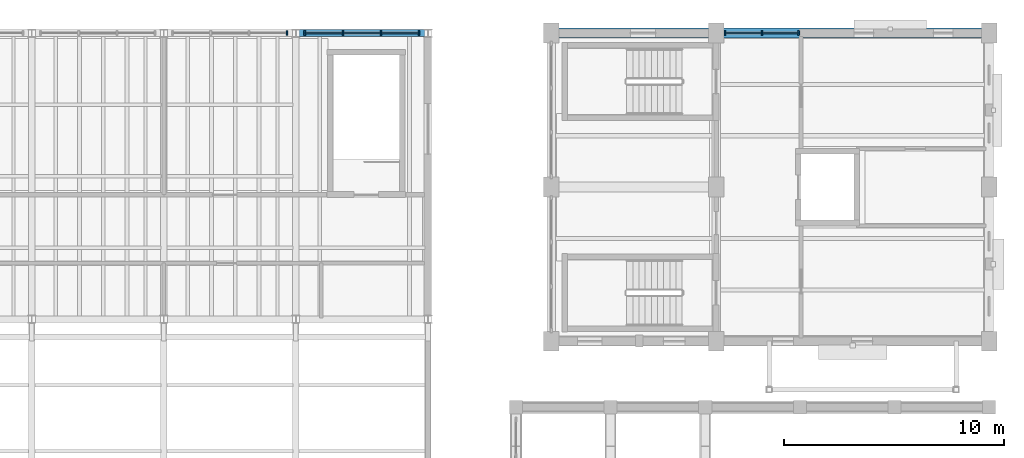
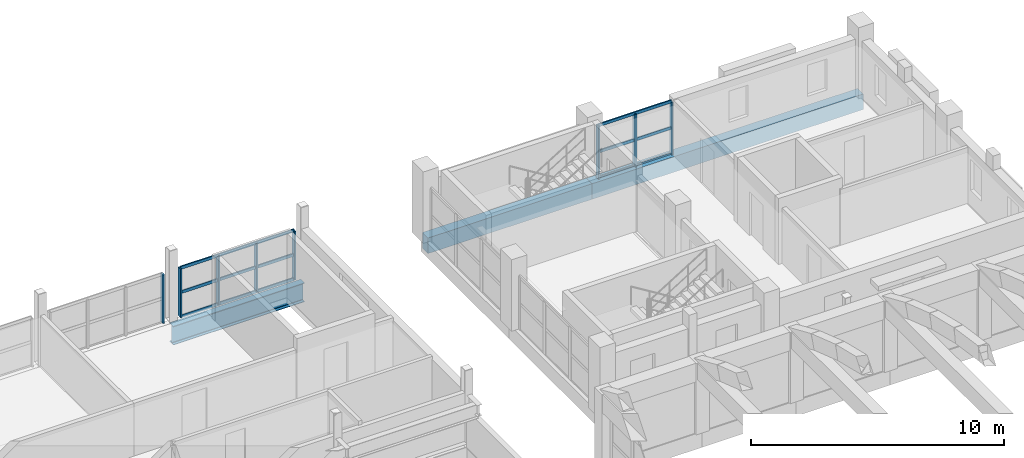
# One storey, part 46 of 77: 14 members, 3 beams, 3 elements without a shape of their own.
"""IFC4 building model written with IfcOpenShell, lengths in metres."""

from ifc_helpers import new_model, si_unit, direction, frame, origin, origin_2d, place, context, subcontext, project, spatial, rectangle, i_section, extrude, material, layer, layer_set, material_profile, profile_set, type_object, element, aggregate, save


model = new_model("IFC4")

# Units and contexts
model_context = context("Model", 3, precision=1e-05, world=origin(), true_north=direction((0.0, 1.0)))
body_context = subcontext(model_context, "Body", "Model", "MODEL_VIEW")
ifc_project = project(units=[si_unit("LENGTHUNIT", "METRE"), si_unit("AREAUNIT", "SQUARE_METRE"), si_unit("VOLUMEUNIT", "CUBIC_METRE"), si_unit("PLANEANGLEUNIT", "RADIAN"), si_unit("MASSUNIT", "GRAM", prefix="KILO")], contexts=[model_context])

# Site, building, storey
site_placement = place(None, origin())
site = spatial("IfcSite", under=ifc_project, at=site_placement, CompositionType="ELEMENT")
building_placement = place(site_placement, origin())
building = spatial("IfcBuilding", under=site, at=building_placement, Name="Trellovar Central Fire Station", CompositionType="ELEMENT")
storey_placement = place(building_placement, frame((0.0, 0.0, 5.85009765625)))
storey = spatial("IfcBuildingStorey", under=building, at=storey_placement, Name="L02", CompositionType="ELEMENT", Elevation=5.85009765625)

# Beams
ifc_material_1 = material(Name="Concrete C40/50", Category="concrete")
ifc_material_profile_1 = material_profile(ifc_material_1, rectangle(XDim=0.449951171875, YDim=0.75, at=origin_2d()), Name="RC450X750")
ifc_profile_set_1 = profile_set([ifc_material_profile_1], Name="Concrete C40/50")
beam_type_1 = type_object("IfcBeamType", Name="BM-G2", PredefinedType="BEAM", material=ifc_profile_set_1)
beam_1_placement = place(storey_placement, frame((141.10009765625, 73.0, -0.375), z_axis=(1.0, 0.0, 0.0), x_axis=(0.0, 1.0, 0.0)))
element("IfcBeam", 1, at=beam_1_placement, inside=storey, type_object=beam_type_1, Name="L02 beam G-2", PredefinedType="BEAM", context=body_context, shape_type="SweptSolid", body=[
    extrude(rectangle(XDim=0.449951171875, YDim=0.75, at=origin_2d()), origin(), (0.0, 0.0, 1.0), 7.5),
])
beam_2_placement = place(storey_placement, frame((148.60009765625, 73.0, -0.375), z_axis=(1.0, 0.0, 0.0), x_axis=(0.0, 1.0, 0.0)))
element("IfcBeam", 2, at=beam_2_placement, inside=storey, type_object=beam_type_1, Name="L02 beam G-2", PredefinedType="BEAM", context=body_context, shape_type="SweptSolid", body=[
    extrude(rectangle(XDim=0.449951171875, YDim=0.75, at=origin_2d()), origin(), (0.0, 0.0, 1.0), 12.39990234375),
])
ifc_material_2 = material(Name="Steel ASTM A992 Grade 50", Category="steel")
ifc_material_profile_2 = material_profile(ifc_material_2, i_section(OverallWidth=0.3046875, OverallDepth=0.911865234375, WebThickness=0.015869140625, FlangeThickness=0.02392578125, FilletRadius=0.024169921875, at=origin_2d()), Name="W36X150")
ifc_profile_set_2 = profile_set([ifc_material_profile_2], Name="Steel ASTM A992 Grade 50")
beam_type_2 = type_object("IfcBeamType", Name="BM-SW1", PredefinedType="BEAM", material=ifc_profile_set_2)
beam_3_placement = place(storey_placement, frame((129.5, 73.0, -0.7060546875), z_axis=(1.0, 0.0, 0.0), x_axis=(0.0, 1.0, 0.0)))
element("IfcBeam", 3, at=beam_3_placement, inside=storey, type_object=beam_type_2, Name="L02 beam SB-1", PredefinedType="BEAM", context=body_context, shape_type="SweptSolid", body=[
    extrude(i_section(OverallWidth=0.3046875, OverallDepth=0.911865234375, WebThickness=0.015869140625, FlangeThickness=0.02392578125, FilletRadius=0.024169921875, at=origin_2d()), origin(), (0.0, 0.0, 1.0), 6.0),
])

# Curtain wall, member
ifc_material_3 = material(Name="Thermally broken bronze anodized aluminum", Category="aluminium")
ifc_layer_1 = layer(ifc_material_3, 0.159912109375)
ifc_layer_set_1 = layer_set([ifc_layer_1], Name="Thermally broken bronze anodized aluminum")
curtain_wall_type_1 = type_object("IfcCurtainWallType", Name="CW-13", PredefinedType="NOTDEFINED", material=ifc_layer_set_1)
curtain_wall_1_placement = place(storey_placement, origin())
curtain_wall_1 = element("IfcCurtainWall", 4, at=curtain_wall_1_placement, inside=storey, type_object=curtain_wall_type_1, Name="V6 L02 north clerestory 4", PredefinedType="NOTDEFINED")
ifc_material_4 = material(Name="Thermally broken bronze anodized aluminum", Category="aluminium")
ifc_material_profile_3 = material_profile(ifc_material_4, rectangle(XDim=0.074951171875, YDim=0.199951171875, at=origin_2d()), Name="ALU75X200")
ifc_profile_set_3 = profile_set([ifc_material_profile_3], Name="Thermally broken bronze anodized aluminum")
member_type_1 = type_object("IfcMemberType", Name="CWM-1", PredefinedType="MULLION", material=ifc_profile_set_3)
member_1_placement = place(storey_placement, frame((129.10009765625, 73.0, 0.0), z_axis=(0.0, 0.0, 1.0), x_axis=(1.0, 0.0, 0.0)))
member_1 = element("IfcMember", 5, at=member_1_placement, type_object=member_type_1, Name="CW3-L02-0130 mullion 1", PredefinedType="MULLION", context=body_context, shape_type="SweptSolid", body=[
    extrude(rectangle(XDim=0.074951171875, YDim=0.199951171875, at=origin_2d()), origin(), (0.0, 0.0, 1.0), 2.347900390625),
])
aggregate(curtain_wall_1, [member_1])

# Curtain wall, members
curtain_wall_2_placement = place(storey_placement, origin())
curtain_wall_2 = element("IfcCurtainWall", 6, at=curtain_wall_2_placement, inside=storey, type_object=curtain_wall_type_1, Name="V6 L02 north clerestory 5", PredefinedType="NOTDEFINED")
member_2_placement = place(storey_placement, frame((135.10009765625, 73.0, 0.0), z_axis=(0.0, 0.0, 1.0), x_axis=(1.0, 0.0, 0.0)))
member_2 = element("IfcMember", 7, at=member_2_placement, type_object=member_type_1, Name="CW3-L02-0138 mullion 1", PredefinedType="MULLION", context=body_context, shape_type="SweptSolid", body=[
    extrude(rectangle(XDim=0.074951171875, YDim=0.199951171875, at=origin_2d()), origin(), (0.0, 0.0, 1.0), 2.347900390625),
])
member_3_placement = place(storey_placement, frame((133.36669921875, 73.0, 0.0), z_axis=(0.0, 0.0, 1.0), x_axis=(1.0, 0.0, 0.0)))
member_3 = element("IfcMember", 8, at=member_3_placement, type_object=member_type_1, Name="CW3-L02-0138 mullion 2", PredefinedType="MULLION", context=body_context, shape_type="SweptSolid", body=[
    extrude(rectangle(XDim=0.074951171875, YDim=0.199951171875, at=origin_2d()), origin(), (0.0, 0.0, 1.0), 2.347900390625),
])
member_4_placement = place(storey_placement, frame((131.63330078125, 73.0, 0.0), z_axis=(0.0, 0.0, 1.0), x_axis=(1.0, 0.0, 0.0)))
member_4 = element("IfcMember", 9, at=member_4_placement, type_object=member_type_1, Name="CW3-L02-0138 mullion 3", PredefinedType="MULLION", context=body_context, shape_type="SweptSolid", body=[
    extrude(rectangle(XDim=0.074951171875, YDim=0.199951171875, at=origin_2d()), origin(), (0.0, 0.0, 1.0), 2.347900390625),
])
member_5_placement = place(storey_placement, frame((129.89990234375, 73.0, 0.0), z_axis=(0.0, 0.0, 1.0), x_axis=(1.0, 0.0, 0.0)))
member_5 = element("IfcMember", 10, at=member_5_placement, type_object=member_type_1, Name="CW3-L02-0138 mullion 4", PredefinedType="MULLION", context=body_context, shape_type="SweptSolid", body=[
    extrude(rectangle(XDim=0.074951171875, YDim=0.199951171875, at=origin_2d()), origin(), (0.0, 0.0, 1.0), 2.347900390625),
])

ifc_material_5 = material(Name="Thermally broken bronze anodized aluminum", Category="aluminium")
ifc_layer_2 = layer(ifc_material_5, 0.159912109375)
ifc_layer_set_2 = layer_set([ifc_layer_2], Name="Thermally broken bronze anodized aluminum")
curtain_wall_type_2 = type_object("IfcCurtainWallType", Name="CW-08", PredefinedType="NOTDEFINED", material=ifc_layer_set_2)
curtain_wall_3_placement = place(storey_placement, origin())
curtain_wall_3 = element("IfcCurtainWall", 11, at=curtain_wall_3_placement, inside=storey, type_object=curtain_wall_type_2, Name="V2 L02 north lobby curtain wall", PredefinedType="NOTDEFINED")
member_6_placement = place(storey_placement, frame((152.35009765625, 73.0, 0.0), z_axis=(0.0, 0.0, 1.0), x_axis=(1.0, 0.0, 0.0)))
member_6 = element("IfcMember", 12, at=member_6_placement, type_object=member_type_1, Name="CW3-L02-0156 mullion 1", PredefinedType="MULLION", context=body_context, shape_type="SweptSolid", body=[
    extrude(rectangle(XDim=0.074951171875, YDim=0.199951171875, at=origin_2d()), origin(), (0.0, 0.0, 1.0), 2.5498046875),
])
member_7_placement = place(storey_placement, frame((150.675048828125, 73.0, 0.0), z_axis=(0.0, 0.0, 1.0), x_axis=(1.0, 0.0, 0.0)))
member_7 = element("IfcMember", 13, at=member_7_placement, type_object=member_type_1, Name="CW3-L02-0156 mullion 2", PredefinedType="MULLION", context=body_context, shape_type="SweptSolid", body=[
    extrude(rectangle(XDim=0.074951171875, YDim=0.199951171875, at=origin_2d()), origin(), (0.0, 0.0, 1.0), 2.5498046875),
])
member_8_placement = place(storey_placement, frame((149.0, 73.0, 0.0), z_axis=(0.0, 0.0, 1.0), x_axis=(1.0, 0.0, 0.0)))
member_8 = element("IfcMember", 14, at=member_8_placement, type_object=member_type_1, Name="CW3-L02-0156 mullion 3", PredefinedType="MULLION", context=body_context, shape_type="SweptSolid", body=[
    extrude(rectangle(XDim=0.074951171875, YDim=0.199951171875, at=origin_2d()), origin(), (0.0, 0.0, 1.0), 2.5498046875),
])

# Member
ifc_material_6 = material(Name="Thermally broken bronze anodized aluminum", Category="aluminium")
ifc_material_profile_4 = material_profile(ifc_material_6, rectangle(XDim=0.06005859375, YDim=0.139892578125, at=origin_2d()), Name="ALU60X140")
ifc_profile_set_4 = profile_set([ifc_material_profile_4], Name="Thermally broken bronze anodized aluminum")
member_type_2 = type_object("IfcMemberType", Name="CWT-1", PredefinedType="USERDEFINED", material=ifc_profile_set_4)
member_9_placement = place(storey_placement, frame((135.10009765625, 73.0, 0.0), z_axis=(-1.0, 0.0, 0.0), x_axis=(0.0, -1.0, 0.0)))
member_9 = element("IfcMember", 15, at=member_9_placement, type_object=member_type_2, Name="CW3-L02-0138 transom 1", ObjectType="TRANSOM", PredefinedType="USERDEFINED", context=body_context, shape_type="SweptSolid", body=[
    extrude(rectangle(XDim=0.06005859375, YDim=0.139892578125, at=origin_2d()), origin(), (0.0, 0.0, 1.0), 5.2001953125),
])

member_10_placement = place(storey_placement, frame((135.10009765625, 73.0, 1.173828125), z_axis=(-1.0, 0.0, 0.0), x_axis=(0.0, -1.0, 0.0)))
member_10 = element("IfcMember", 16, at=member_10_placement, type_object=member_type_2, Name="CW3-L02-0138 transom 2", ObjectType="TRANSOM", PredefinedType="USERDEFINED", context=body_context, shape_type="SweptSolid", body=[
    extrude(rectangle(XDim=0.06005859375, YDim=0.139892578125, at=origin_2d()), origin(), (0.0, 0.0, 1.0), 5.2001953125),
])

member_11_placement = place(storey_placement, frame((135.10009765625, 73.0, 2.347900390625), z_axis=(-1.0, 0.0, 0.0), x_axis=(0.0, -1.0, 0.0)))
member_11 = element("IfcMember", 17, at=member_11_placement, type_object=member_type_2, Name="CW3-L02-0138 transom 3", ObjectType="TRANSOM", PredefinedType="USERDEFINED", context=body_context, shape_type="SweptSolid", body=[
    extrude(rectangle(XDim=0.06005859375, YDim=0.139892578125, at=origin_2d()), origin(), (0.0, 0.0, 1.0), 5.2001953125),
])

aggregate(curtain_wall_2, [member_2, member_3, member_4, member_5, member_9, member_10, member_11])

member_12_placement = place(storey_placement, frame((152.35009765625, 73.0, 0.0), z_axis=(-1.0, 0.0, 0.0), x_axis=(0.0, -1.0, 0.0)))
member_12 = element("IfcMember", 18, at=member_12_placement, type_object=member_type_2, Name="CW3-L02-0156 transom 1", ObjectType="TRANSOM", PredefinedType="USERDEFINED", context=body_context, shape_type="SweptSolid", body=[
    extrude(rectangle(XDim=0.06005859375, YDim=0.139892578125, at=origin_2d()), origin(), (0.0, 0.0, 1.0), 3.35009765625),
])

member_13_placement = place(storey_placement, frame((152.35009765625, 73.0, 1.27490234375), z_axis=(-1.0, 0.0, 0.0), x_axis=(0.0, -1.0, 0.0)))
member_13 = element("IfcMember", 19, at=member_13_placement, type_object=member_type_2, Name="CW3-L02-0156 transom 2", ObjectType="TRANSOM", PredefinedType="USERDEFINED", context=body_context, shape_type="SweptSolid", body=[
    extrude(rectangle(XDim=0.06005859375, YDim=0.139892578125, at=origin_2d()), origin(), (0.0, 0.0, 1.0), 3.35009765625),
])

member_14_placement = place(storey_placement, frame((152.35009765625, 73.0, 2.5498046875), z_axis=(-1.0, 0.0, 0.0), x_axis=(0.0, -1.0, 0.0)))
member_14 = element("IfcMember", 20, at=member_14_placement, type_object=member_type_2, Name="CW3-L02-0156 transom 3", ObjectType="TRANSOM", PredefinedType="USERDEFINED", context=body_context, shape_type="SweptSolid", body=[
    extrude(rectangle(XDim=0.06005859375, YDim=0.139892578125, at=origin_2d()), origin(), (0.0, 0.0, 1.0), 3.35009765625),
])

aggregate(curtain_wall_3, [member_6, member_7, member_8, member_12, member_13, member_14])

save(model, "model.ifc")
